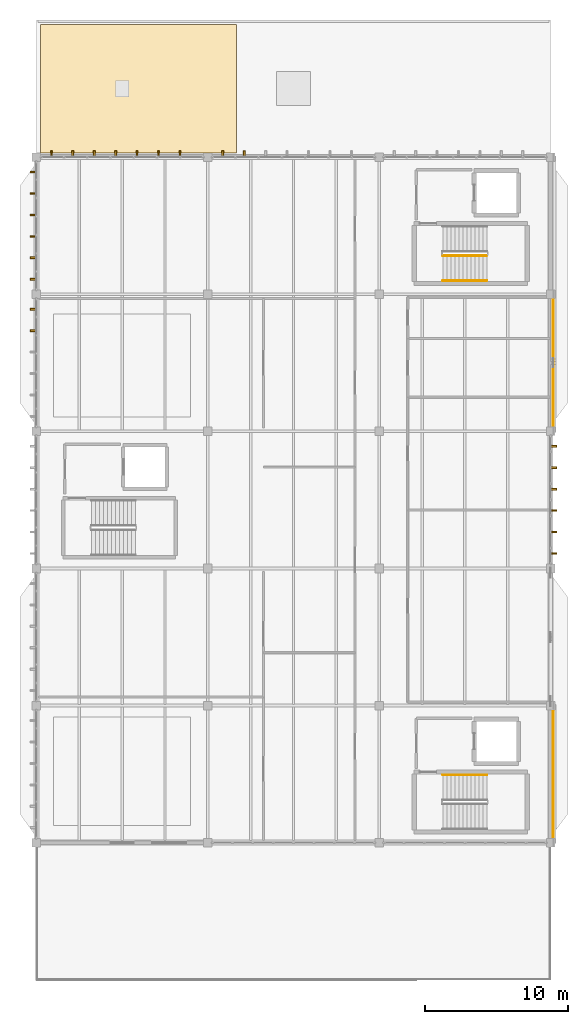
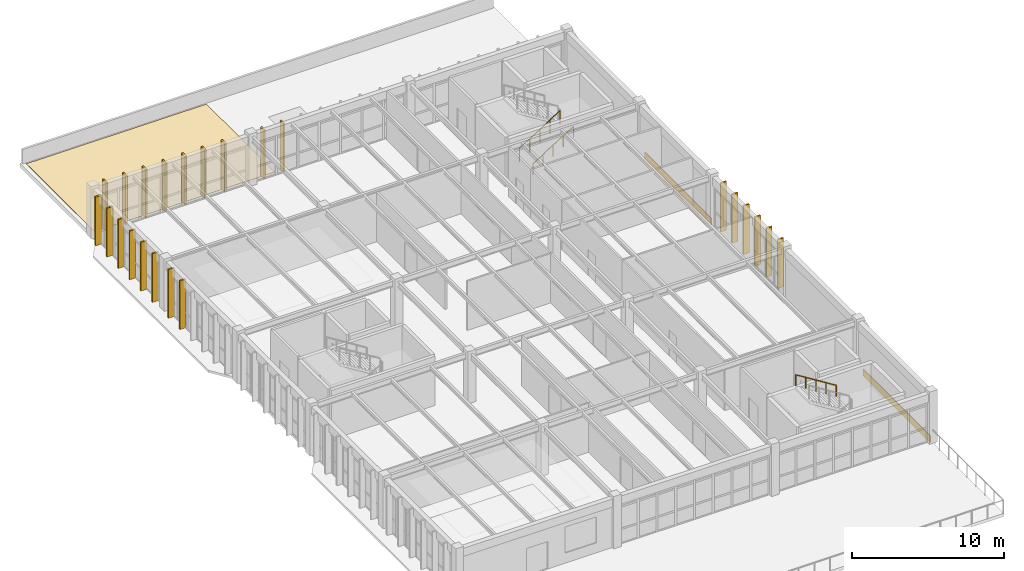
# One storey, part 36 of 37: 23 shading devices, 3 coverings, 3 railings.
"""IFC4 building model written with IfcOpenShell, lengths in metres."""

import ifcopenshell
import ifcopenshell.guid

model = None  # the IFC model being written
_history = None  # IfcOwnerHistory: only IFC2X3 demands one
_inside = {}  # id of a spatial element -> (the spatial element, [elements in it])
_under = {}  # id of a project, library or spatial element -> (it, [spatial elements below it])
_declared = {}  # id of a project -> (the project, [libraries it declares])
_typed = {}  # id of a type object -> (the type object, [elements of that type])
_made_of = {}  # id of a material, layer set ... -> (it, [elements and type objects made of it])


def new_model(schema):
    """Start an empty IFC model of exactly this schema.

    Asked for "IFC4X3", IfcOpenShell would pick the latest addendum, in which some entities
    have other attributes; the version numbers below select the first issue.
    IFC2X3 requires an IfcOwnerHistory on every rooted entity: one is made here for all.
    """
    global model, _history
    if schema == "IFC4X3":
        model = ifcopenshell.file(schema_version=(4, 3, 0, 0))
    else:
        model = ifcopenshell.file(schema=schema)
    _inside.clear()
    _under.clear()
    _declared.clear()
    _typed.clear()
    _made_of.clear()
    _history = None
    if model.schema == "IFC2X3":
        org = make("IfcOrganization", Name="unknown")
        user = make(
            "IfcPersonAndOrganization",
            ThePerson=make("IfcPerson", FamilyName="unknown"),
            TheOrganization=org,
        )
        app = make(
            "IfcApplication",
            ApplicationDeveloper=org,
            Version="unknown",
            ApplicationFullName="unknown",
            ApplicationIdentifier="unknown",
        )
        _history = make(
            "IfcOwnerHistory",
            OwningUser=user,
            OwningApplication=app,
            ChangeAction="ADDED",
            CreationDate=0,
        )
    return model


def make(cls, **values):
    """One entity of the class cls with the attributes given. An attribute that is None is left unset."""
    return model.create_entity(
        cls, **{name: value for name, value in values.items() if value is not None}
    )


def rooted(cls, **values):
    """An entity with a GlobalId (a new one), such as an element, a storey or a relation."""
    return make(cls, GlobalId=ifcopenshell.guid.new(), OwnerHistory=_history, **values)


def si_unit(unit_type, name, prefix=None):
    """IfcSIUnit, for example si_unit("LENGTHUNIT", "METRE", prefix="MILLI")."""
    return make("IfcSIUnit", UnitType=unit_type, Prefix=prefix, Name=name)


def assignment(units):
    """IfcUnitAssignment: the units of a project."""
    return None if units is None else make("IfcUnitAssignment", Units=units)


def point(xyz):
    """IfcCartesianPoint."""
    return None if xyz is None else make("IfcCartesianPoint", Coordinates=xyz)


def direction(xyz):
    """IfcDirection."""
    return None if xyz is None else make("IfcDirection", DirectionRatios=xyz)


def frame(location, z_axis=None, x_axis=None):
    """IfcAxis2Placement3D, a coordinate frame: its origin and axes. An axis left out is left unset."""
    return make(
        "IfcAxis2Placement3D",
        Location=point(location),
        Axis=direction(z_axis),
        RefDirection=direction(x_axis),
    )


def frame_2d(location, x_axis=None):
    """IfcAxis2Placement2D, a coordinate frame in the plane: its origin and x axis."""
    return make(
        "IfcAxis2Placement2D", Location=point(location), RefDirection=direction(x_axis)
    )


def origin():
    """The frame at (0, 0, 0) with its axes left unset."""
    return frame((0.0, 0.0, 0.0))


def origin_2d():
    """The frame at (0, 0) in the plane with its x axis left unset."""
    return frame_2d((0.0, 0.0))


def place(relative_to, where):
    """IfcLocalPlacement: puts the frame where relative to a parent placement (None: the world)."""
    return make(
        "IfcLocalPlacement", PlacementRelTo=relative_to, RelativePlacement=where
    )


def context(
    kind, dimensions, precision=None, world=None, true_north=None, identifier=None
):
    """IfcGeometricRepresentationContext, for example the 3D "Model" context."""
    return make(
        "IfcGeometricRepresentationContext",
        ContextIdentifier=identifier,
        ContextType=kind,
        CoordinateSpaceDimension=dimensions,
        Precision=precision,
        WorldCoordinateSystem=world,
        TrueNorth=true_north,
    )


def subcontext(parent, identifier, kind, view, scale=None):
    """IfcGeometricRepresentationSubContext, for example "Body" below "Model"."""
    return make(
        "IfcGeometricRepresentationSubContext",
        ContextIdentifier=identifier,
        ContextType=kind,
        ParentContext=parent,
        TargetScale=scale,
        TargetView=view,
    )


def project(units=None, contexts=None):
    """IfcProject with its units and contexts."""
    return rooted(
        "IfcProject",
        Name="project",
        RepresentationContexts=contexts,
        UnitsInContext=assignment(units),
    )


def spatial(cls, under=None, at=None, **own):
    """A site, building, storey or space (cls), placed at a placement, below another one or the project."""
    s = rooted(cls, ObjectPlacement=at, **own)
    if under is not None:
        _under.setdefault(under.id(), (under, []))[1].append(s)
    return s


def polyline(points):
    """IfcPolyline through the points."""
    return make("IfcPolyline", Points=[point(p) for p in points])


def profile(cls, at=None, kind="AREA", **sizes):
    """A parametric profile (cls). Its sizes go by their IFC names, for example OverallWidth=200.0."""
    return make(cls, ProfileType=kind, Position=at, **sizes)


def rectangle(**sizes):
    """IfcRectangleProfileDef."""
    return profile("IfcRectangleProfileDef", **sizes)


def circle(**sizes):
    """IfcCircleProfileDef."""
    return profile("IfcCircleProfileDef", **sizes)


def outline(outer, holes=None, kind="AREA"):
    """IfcArbitraryClosedProfileDef: a profile drawn as a closed curve; with holes, ...WithVoids."""
    if holes is None:
        return make("IfcArbitraryClosedProfileDef", ProfileType=kind, OuterCurve=outer)
    return make(
        "IfcArbitraryProfileDefWithVoids",
        ProfileType=kind,
        OuterCurve=outer,
        InnerCurves=holes,
    )


def extrude(swept, where, along, depth):
    """IfcExtrudedAreaSolid: the profile swept, set in the frame where, extruded along a direction by depth."""
    return make(
        "IfcExtrudedAreaSolid",
        SweptArea=swept,
        Position=where,
        ExtrudedDirection=direction(along),
        Depth=depth,
    )


def shape(context_of_items, identifier, shape_type, items):
    """IfcShapeRepresentation: the items that make up one representation, for example the "Body"."""
    return make(
        "IfcShapeRepresentation",
        ContextOfItems=context_of_items,
        RepresentationIdentifier=identifier,
        RepresentationType=shape_type,
        Items=items,
    )


def material(Name=None, Category=None):
    """IfcMaterial."""
    return make("IfcMaterial", Name=Name, Category=Category)


def layer(
    of_material, thickness, ventilated=None, Name=None, Category=None, Priority=None
):
    """IfcMaterialLayer: one layer of a wall or slab, of a material (None: an air gap)."""
    return make(
        "IfcMaterialLayer",
        Material=of_material,
        LayerThickness=thickness,
        IsVentilated=ventilated,
        Name=Name,
        Category=Category,
        Priority=Priority,
    )


def layer_set(layers, Name=None):
    """IfcMaterialLayerSet."""
    return make("IfcMaterialLayerSet", MaterialLayers=layers, LayerSetName=Name)


def made_of(thing, what):
    """Note that an element or type object is made of a material, layer set ...; save() writes the relation."""
    if what is not None:
        _made_of.setdefault(what.id(), (what, []))[1].append(thing)
    return thing


def type_object(cls, material=None, **own):
    """A type object (cls), such as IfcWallType, which elements share."""
    return made_of(rooted(cls, **own), material)


def element(
    cls,
    number,
    at=None,
    inside=None,
    cuts=None,
    type_object=None,
    material=None,
    context=None,
    identifier="Body",
    shape_type=None,
    held_by="IfcProductDefinitionShape",
    body=None,
    shapes=None,
    **own,
):
    """One element of the class cls, such as IfcWall. Its Tag is "e" and its number.

    at: its placement. inside: the storey or other place that contains it. cuts: it is an
    opening in that element (IfcRelVoidsElement). A single representation is given by context,
    identifier, shape_type and body (its items); several are given by shapes. held_by: the class
    of the entity that holds the representations. save() writes the other relations.
    """
    e = rooted(cls, Tag="e%d" % number, ObjectPlacement=at, **own)
    if body is not None:
        shapes = [shape(context, identifier, shape_type, body)]
    if shapes is not None:
        e.Representation = make(held_by, Representations=shapes)
    if inside is not None:
        _inside.setdefault(inside.id(), (inside, []))[1].append(e)
    if cuts is not None:
        rooted(
            "IfcRelVoidsElement", RelatingBuildingElement=cuts, RelatedOpeningElement=e
        )
    if type_object is not None:
        _typed.setdefault(type_object.id(), (type_object, []))[1].append(e)
    return made_of(e, material)


def aggregate(whole, parts):
    """IfcRelAggregates: a whole, such as a stair, and the parts it consists of."""
    return rooted("IfcRelAggregates", RelatingObject=whole, RelatedObjects=parts)


def save(model, path):
    """Write the relations noted so far, then the file.

    IfcRelAggregates (storeys below a building ...), IfcRelContainedInSpatialStructure (elements
    in a storey), IfcRelDefinesByType, IfcRelAssociatesMaterial and IfcRelDeclares: one each for
    every whole, place, type object, material and project.
    """
    for whole, parts in _under.values():
        aggregate(whole, parts)
    for where, things in _inside.values():
        rooted(
            "IfcRelContainedInSpatialStructure",
            RelatedElements=things,
            RelatingStructure=where,
        )
    for kind, things in _typed.values():
        rooted("IfcRelDefinesByType", RelatedObjects=things, RelatingType=kind)
    for what, things in _made_of.values():
        rooted("IfcRelAssociatesMaterial", RelatedObjects=things, RelatingMaterial=what)
    for by, libraries in _declared.values():
        rooted("IfcRelDeclares", RelatingContext=by, RelatedDefinitions=libraries)
    model.write(path)


model = new_model("IFC4")

# Units and contexts
model_context = context("Model", 3, precision=1e-05, world=origin(), true_north=direction((0.0, 1.0)))
body_context = subcontext(model_context, "Body", "Model", "MODEL_VIEW")
ifc_project = project(units=[si_unit("LENGTHUNIT", "METRE"), si_unit("AREAUNIT", "SQUARE_METRE"), si_unit("VOLUMEUNIT", "CUBIC_METRE"), si_unit("PLANEANGLEUNIT", "RADIAN"), si_unit("MASSUNIT", "GRAM", prefix="KILO")], contexts=[model_context])

# Site, building, storey
site_placement = place(None, origin())
site = spatial("IfcSite", under=ifc_project, at=site_placement, CompositionType="ELEMENT")
building_placement = place(site_placement, origin())
building = spatial("IfcBuilding", under=site, at=building_placement, Name="Pandanus Reach Market Hall", CompositionType="ELEMENT")
storey_placement = place(building_placement, frame((0.0, 0.0, 14.39990234375)))
storey = spatial("IfcBuildingStorey", under=building, at=storey_placement, Name="L03", CompositionType="ELEMENT", Elevation=14.39990234375)

# Coverings
ifc_material_1 = material(Name="Precast concrete S50 (50 MPa)", Category="concrete")
ifc_layer_1 = layer(ifc_material_1, 0.06005859375, Name="CLD-S50-60")
ifc_layer_set_1 = layer_set([ifc_layer_1], Name="Precast concrete S50 (50 MPa)")
covering_type_1 = type_object("IfcCoveringType", Name="CLD-S50-60", PredefinedType="CLADDING", material=ifc_layer_set_1)
for number, where, z_axis, x_axis, name in (
    (1, (180.179931640625, 33.60009765625, -0.4248046875), (0.0, 0.0, 1.0), (0.0, 1.0, 0.0), "Precast spandrel cladding panel 5"),
    (2, (180.179931640625, 62.39990234375, -0.4248046875), (0.0, 0.0, 1.0), (0.0, 1.0, 0.0), "Precast spandrel cladding panel 6"),
):
    element("IfcCovering", number, at=place(storey_placement, frame(where, z_axis=z_axis, x_axis=x_axis)), inside=storey, type_object=covering_type_1, Name=name, PredefinedType="CLADDING", context=body_context, shape_type="SweptSolid", body=[
        extrude(rectangle(XDim=8.800048828125, YDim=0.06005859375, at=origin_2d()), origin(), (0.0, 0.0, 1.0), 0.550048828125),
    ])

# Shading devices
shading_device_type = type_object("IfcShadingDeviceType", Name="FN-S50-450", PredefinedType="JALOUSIE", material=ifc_material_1)
for number, where, z_axis, x_axis, name in (
    (3, (145.050048828125, 77.02001953125, -0.009765625), (0.0, 0.0, 1.0), (0.0, 1.0, 0.0), "Precast brise-soleil fin 510"),
    (4, (146.550048828125, 77.02001953125, -0.009765625), (0.0, 0.0, 1.0), (0.0, 1.0, 0.0), "Precast brise-soleil fin 511"),
    (5, (148.050048828125, 77.02001953125, -0.009765625), (0.0, 0.0, 1.0), (0.0, 1.0, 0.0), "Precast brise-soleil fin 512"),
    (6, (149.550048828125, 77.02001953125, -0.009765625), (0.0, 0.0, 1.0), (0.0, 1.0, 0.0), "Precast brise-soleil fin 513"),
    (7, (151.050048828125, 77.02001953125, -0.009765625), (0.0, 0.0, 1.0), (0.0, 1.0, 0.0), "Precast brise-soleil fin 514"),
    (8, (152.550048828125, 77.02001953125, -0.009765625), (0.0, 0.0, 1.0), (0.0, 1.0, 0.0), "Precast brise-soleil fin 515"),
    (9, (154.050048828125, 77.02001953125, -0.009765625), (0.0, 0.0, 1.0), (0.0, 1.0, 0.0), "Precast brise-soleil fin 516"),
    (10, (157.050048828125, 77.02001953125, -0.009765625), (0.0, 0.0, 1.0), (0.0, 1.0, 0.0), "Precast brise-soleil fin 517"),
    (11, (158.550048828125, 77.02001953125, -0.009765625), (0.0, 0.0, 1.0), (0.0, 1.0, 0.0), "Precast brise-soleil fin 518"),
    (12, (180.219970703125, 49.050048828125, -0.009765625), (0.0, 0.0, 1.0), (1.0, 0.0, 0.0), "Precast brise-soleil fin 531"),
    (13, (180.219970703125, 50.550048828125, -0.009765625), (0.0, 0.0, 1.0), (1.0, 0.0, 0.0), "Precast brise-soleil fin 532"),
    (14, (180.219970703125, 52.050048828125, -0.009765625), (0.0, 0.0, 1.0), (1.0, 0.0, 0.0), "Precast brise-soleil fin 533"),
    (15, (180.219970703125, 53.550048828125, -0.009765625), (0.0, 0.0, 1.0), (1.0, 0.0, 0.0), "Precast brise-soleil fin 534"),
    (16, (180.219970703125, 55.050048828125, -0.009765625), (0.0, 0.0, 1.0), (1.0, 0.0, 0.0), "Precast brise-soleil fin 535"),
    (17, (180.219970703125, 56.550048828125, -0.009765625), (0.0, 0.0, 1.0), (1.0, 0.0, 0.0), "Precast brise-soleil fin 536"),
    (18, (143.780029296875, 64.64990234375, -0.009765625), (0.0, 0.0, 1.0), (-1.0, 0.0, 0.0), "Precast brise-soleil fin 559"),
    (19, (143.780029296875, 66.14990234375, -0.009765625), (0.0, 0.0, 1.0), (-1.0, 0.0, 0.0), "Precast brise-soleil fin 560"),
    (20, (143.780029296875, 68.25, -0.009765625), (0.0, 0.0, 1.0), (-1.0, 0.0, 0.0), "Precast brise-soleil fin 561"),
    (21, (143.780029296875, 69.75, -0.009765625), (0.0, 0.0, 1.0), (-1.0, 0.0, 0.0), "Precast brise-soleil fin 562"),
    (22, (143.780029296875, 71.25, -0.009765625), (0.0, 0.0, 1.0), (-1.0, 0.0, 0.0), "Precast brise-soleil fin 563"),
    (23, (143.780029296875, 72.75, -0.009765625), (0.0, 0.0, 1.0), (-1.0, 0.0, 0.0), "Precast brise-soleil fin 564"),
    (24, (143.780029296875, 74.25, -0.009765625), (0.0, 0.0, 1.0), (-1.0, 0.0, 0.0), "Precast brise-soleil fin 565"),
    (25, (143.780029296875, 75.75, -0.009765625), (0.0, 0.0, 1.0), (-1.0, 0.0, 0.0), "Precast brise-soleil fin 566"),
):
    element("IfcShadingDevice", number, at=place(storey_placement, frame(where, z_axis=z_axis, x_axis=x_axis)), inside=storey, type_object=shading_device_type, Name=name, PredefinedType="JALOUSIE", context=body_context, shape_type="SweptSolid", body=[
        extrude(rectangle(XDim=0.449951171875, YDim=0.1201171875, at=origin_2d()), origin(), (0.0, 0.0, 1.0), 3.919921875),
    ])

# Railings
ifc_material_2 = material(Name="Galvanised steel Grade 350 (350 MPa)", Category="steel")
railing_type_1 = type_object("IfcRailingType", Name="GR-INT-110", PredefinedType="GUARDRAIL", material=ifc_material_2)
railing_1_placement = place(storey_placement, frame((172.449951171875, 69.89990234375, 0.175048828125)))
element("IfcRailing", 26, at=railing_1_placement, inside=storey, type_object=railing_type_1, Name="Stair guard ST-02 L03.56", PredefinedType="GUARDRAIL", context=body_context, shape_type="SweptSolid", body=[
    extrude(circle(Radius=0.02392578125, at=origin_2d()), frame((0.0, 0.0, 1.076171875), z_axis=(0.847998304005, 0.0, 0.529998940003), x_axis=(0.0, 1.0, 0.0)), (0.0, 0.0, 1.0), 3.632080078125),
    extrude(circle(Radius=0.02099609375, at=origin_2d()), origin(), (0.0, 0.0, 1.0), 1.052001953125),
    extrude(circle(Radius=0.02099609375, at=origin_2d()), frame((0.77001953125, 0.0, 0.481201171875)), (0.0, 0.0, 1.0), 1.052001953125),
    extrude(circle(Radius=0.02099609375, at=origin_2d()), frame((1.5400390625, 0.0, 0.96240234375)), (0.0, 0.0, 1.0), 1.052001953125),
    extrude(circle(Radius=0.02099609375, at=origin_2d()), frame((2.31005859375, 0.0, 1.44384765625)), (0.0, 0.0, 1.0), 1.052001953125),
    extrude(circle(Radius=0.02099609375, at=origin_2d()), frame((3.080078125, 0.0, 1.925048828125)), (0.0, 0.0, 1.0), 1.052001953125),
])
ifc_material_3 = material(Name="Brushed stainless steel", Category="steel")
railing_type_2 = type_object("IfcRailingType", Name="HR-WAL-090", PredefinedType="HANDRAIL", material=ifc_material_3)
railing_2_placement = place(storey_placement, frame((175.530029296875, 33.550048828125, 2.275146484375)))
element("IfcRailing", 27, at=railing_2_placement, inside=storey, type_object=railing_type_2, Name="Stair handrail ST-01 L03.30", PredefinedType="HANDRAIL", context=body_context, shape_type="SweptSolid", body=[
    extrude(circle(Radius=0.02392578125, at=origin_2d()), frame((0.0, 0.0, 0.8759765625), z_axis=(-0.847998304005, 0.0, 0.529998940003), x_axis=(0.0, -1.0, 0.0)), (0.0, 0.0, 1.0), 3.632080078125),
    extrude(circle(Radius=0.02099609375, at=origin_2d()), origin(), (0.0, 0.0, 1.0), 0.851806640625),
    extrude(circle(Radius=0.02099609375, at=origin_2d()), frame((-0.77001953125, 0.0, 0.481201171875)), (0.0, 0.0, 1.0), 0.851806640625),
    extrude(circle(Radius=0.02099609375, at=origin_2d()), frame((-1.5400390625, 0.0, 0.96240234375)), (0.0, 0.0, 1.0), 0.851806640625),
    extrude(circle(Radius=0.02099609375, at=origin_2d()), frame((-2.31005859375, 0.0, 1.44384765625)), (0.0, 0.0, 1.0), 0.851806640625),
    extrude(circle(Radius=0.02099609375, at=origin_2d()), frame((-3.080078125, 0.0, 1.925048828125)), (0.0, 0.0, 1.0), 0.851806640625),
])
railing_3_placement = place(storey_placement, frame((172.449951171875, 68.14990234375, 0.175048828125)))
element("IfcRailing", 28, at=railing_3_placement, inside=storey, type_object=railing_type_2, Name="Stair handrail ST-02 L03.60", PredefinedType="HANDRAIL", context=body_context, shape_type="SweptSolid", body=[
    extrude(circle(Radius=0.02392578125, at=origin_2d()), frame((0.0, 0.0, 0.8759765625), z_axis=(0.847998304005, 0.0, 0.529998940003), x_axis=(0.0, 1.0, 0.0)), (0.0, 0.0, 1.0), 3.632080078125),
    extrude(circle(Radius=0.02099609375, at=origin_2d()), origin(), (0.0, 0.0, 1.0), 0.851806640625),
    extrude(circle(Radius=0.02099609375, at=origin_2d()), frame((0.77001953125, 0.0, 0.481201171875)), (0.0, 0.0, 1.0), 0.851806640625),
    extrude(circle(Radius=0.02099609375, at=origin_2d()), frame((1.5400390625, 0.0, 0.96240234375)), (0.0, 0.0, 1.0), 0.851806640625),
    extrude(circle(Radius=0.02099609375, at=origin_2d()), frame((2.31005859375, 0.0, 1.44384765625)), (0.0, 0.0, 1.0), 0.851806640625),
    extrude(circle(Radius=0.02099609375, at=origin_2d()), frame((3.080078125, 0.0, 1.925048828125)), (0.0, 0.0, 1.0), 0.851806640625),
])

# Covering
ifc_material_4 = material(Name="Reflective EPDM waterproof roofing membrane")
ifc_layer_2 = layer(ifc_material_4, 0.02490234375, Name="RFG-MEM-25")
ifc_layer_set_2 = layer_set([ifc_layer_2], Name="Reflective EPDM waterproof roofing membrane")
covering_type_2 = type_object("IfcCoveringType", Name="RFG-MEM-25", PredefinedType="ROOFING", material=ifc_layer_set_2)
covering_placement = place(storey_placement, origin())
element("IfcCovering", 29, at=covering_placement, inside=storey, type_object=covering_type_2, Name="Roof membrane covering L03.5", PredefinedType="ROOFING", context=body_context, shape_type="SweptSolid", body=[
    extrude(outline(polyline([(144.300048828125, 77.10009765625), (158.0, 77.10009765625), (158.0, 86.10009765625), (144.300048828125, 86.10009765625), (144.300048828125, 77.10009765625)])), origin(), (0.0, 0.0, 1.0), 0.025146484375),
])

save(model, "model.ifc")
